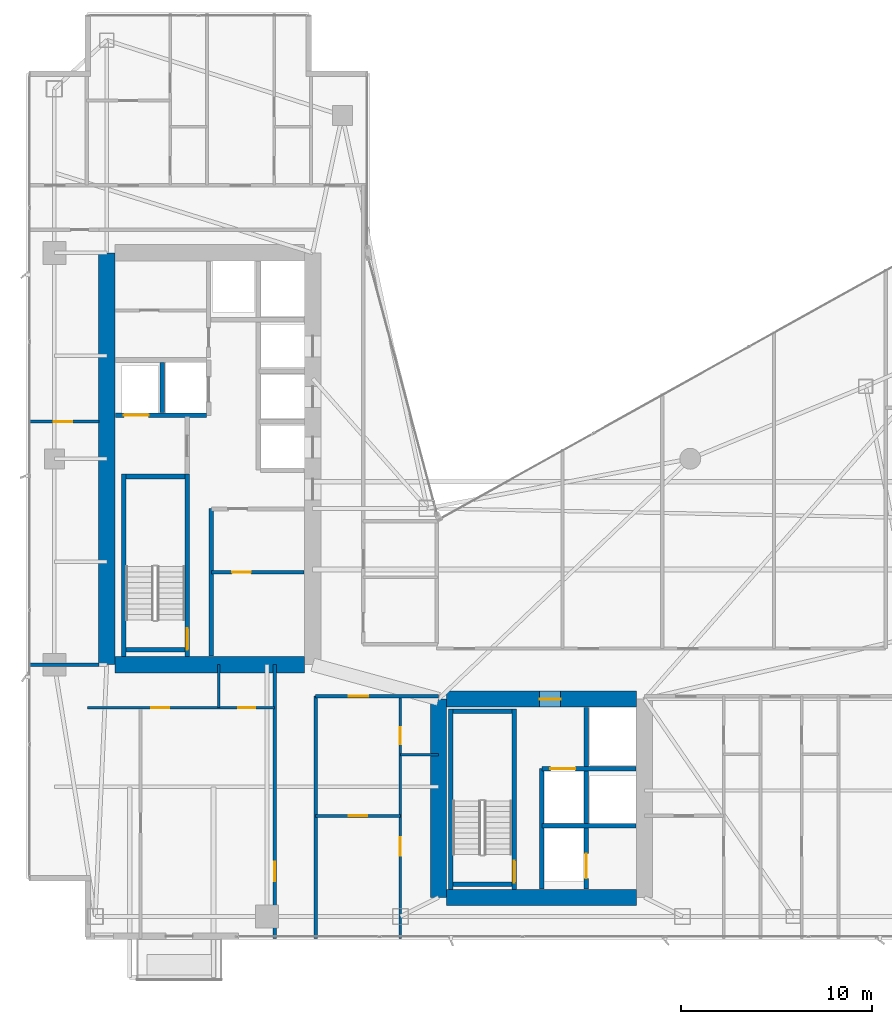
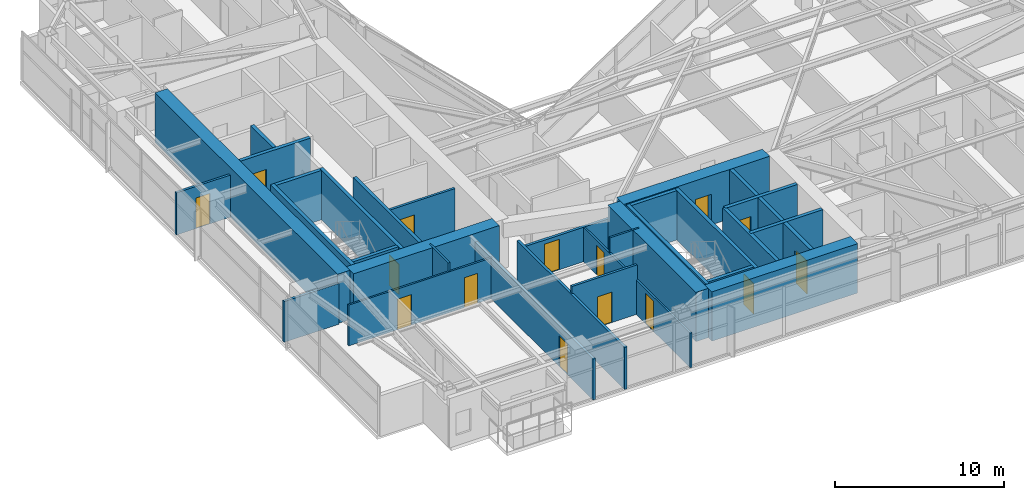
# One storey, part 22 of 28: 31 walls, 15 doors, 15 openings.
"""IFC4 building model written with IfcOpenShell, lengths in metres."""

from ifc_helpers import new_model, si_unit, direction, frame, frame_2d, origin, place, context, subcontext, project, spatial, rectangle, extrude, material, layer, layer_set, type_object, element, fill, save


model = new_model("IFC4")

# Units and contexts
model_context = context("Model", 3, precision=1e-05, world=origin(), true_north=direction((0.0, 1.0)))
body_context = subcontext(model_context, "Body", "Model", "MODEL_VIEW")
ifc_project = project(units=[si_unit("LENGTHUNIT", "METRE"), si_unit("AREAUNIT", "SQUARE_METRE"), si_unit("VOLUMEUNIT", "CUBIC_METRE"), si_unit("PLANEANGLEUNIT", "RADIAN"), si_unit("MASSUNIT", "GRAM", prefix="KILO")], contexts=[model_context])

# Site, building, storey
site_placement = place(None, origin())
site = spatial("IfcSite", under=ifc_project, at=site_placement, CompositionType="ELEMENT")
building_placement = place(site_placement, origin())
building = spatial("IfcBuilding", under=site, at=building_placement, Name="Calvorn Quay Hotel", CompositionType="ELEMENT")
storey_placement = place(building_placement, frame((0.0, 0.0, 178.89990234375)))
storey = spatial("IfcBuildingStorey", under=building, at=storey_placement, Name="L44", CompositionType="ELEMENT", Elevation=178.89990234375)

# Walls
ifc_material_1 = material(Name="Concrete C50", Category="concrete")
ifc_layer_1 = layer(ifc_material_1, 0.85009765625)
ifc_layer_set_1 = layer_set([ifc_layer_1], Name="WL-CORE-850")
wall_type_1 = type_object("IfcWallType", Name="WL-CORE-850", PredefinedType="SHEAR", material=ifc_layer_set_1)
wall_1_placement = place(storey_placement, frame((4.199951171875, 16.800048828125, 0.0), z_axis=(0.0, 0.0, 1.0), x_axis=(0.0, 1.0, 0.0)))
element("IfcWall", 1, at=wall_1_placement, inside=storey, type_object=wall_type_1, Name="West Core Shear Wall W (L44)", PredefinedType="SHEAR", context=body_context, shape_type="SweptSolid", body=[
    extrude(rectangle(XDim=21.599853515625, YDim=0.85009765625, at=frame_2d((10.7998046875, 0.0))), origin(), (0.0, 0.0, 1.0), 3.56005859375),
])
wall_2_placement = place(storey_placement, frame((4.625, 16.800048828125, 0.0), z_axis=(0.0, 0.0, 1.0), x_axis=(1.0, 0.0, 0.0)))
element("IfcWall", 2, at=wall_2_placement, inside=storey, type_object=wall_type_1, Name="West Core Shear Wall S (L44)", PredefinedType="SHEAR", context=body_context, shape_type="SweptSolid", body=[
    extrude(rectangle(XDim=9.949951171875, YDim=0.85009765625, at=frame_2d((4.97509765625, 0.0))), origin(), (0.0, 0.0, 1.0), 3.56005859375),
])
wall_3_placement = place(storey_placement, frame((21.60009765625, 4.60009765625, 0.0), z_axis=(0.0, 0.0, 1.0), x_axis=(0.0, 1.0, 0.0)))
element("IfcWall", 3, at=wall_3_placement, inside=storey, type_object=wall_type_1, Name="East Core Shear Wall W (L44)", PredefinedType="SHEAR", context=body_context, shape_type="SweptSolid", body=[
    extrude(rectangle(XDim=10.39990234375, YDim=0.85009765625, at=frame_2d((5.199951171875, 0.0))), origin(), (0.0, 0.0, 1.0), 3.56005859375),
])

# Wall, opening, door
wall_4_placement = place(storey_placement, frame((22.02490234375, 15.0, 0.0), z_axis=(0.0, 0.0, 1.0), x_axis=(1.0, 0.0, 0.0)))
wall_4 = element("IfcWall", 4, at=wall_4_placement, inside=storey, type_object=wall_type_1, Name="East Core Shear Wall N (L44)", PredefinedType="SHEAR", context=body_context, shape_type="SweptSolid", body=[
    extrude(rectangle(XDim=9.9501953125, YDim=0.85009765625, at=frame_2d((4.97509765625, 0.0))), origin(), (0.0, 0.0, 1.0), 3.56005859375),
])
opening_1_placement = place(wall_4_placement, frame((4.8798828125, 0.0, 0.0)))
opening_1 = element("IfcOpeningElement", 5, at=opening_1_placement, cuts=wall_4, Name="Opening D-L44-FLE", PredefinedType="OPENING", context=body_context, shape_type="SweptSolid", body=[
    extrude(rectangle(XDim=1.10009765625, YDim=2.199951171875, at=frame_2d((0.550048828125, 1.10009765625))), frame((0.0, 0.43505859375, 0.0), z_axis=(0.0, -1.0, 0.0), x_axis=(1.0, 0.0, 0.0)), (0.0, 0.0, 1.0), 0.8701171875),
])
ifc_material_2 = material(Name="Smoke-Sealed Steel Class A Fire Door", Category="steel")
door_type_1 = type_object("IfcDoorType", Name="DR-FFLOBBY-1100", OperationType="NOTDEFINED", PredefinedType="DOOR", material=ifc_material_2)
door_1_placement = place(opening_1_placement, origin())
door_1 = element("IfcDoor", 6, at=door_1_placement, inside=storey, type_object=door_type_1, Name="East Firefighting Lobby Fire Door (L44)", OperationType="SINGLE_SWING_RIGHT", OverallHeight=2.199951171875, OverallWidth=1.10009765625, PredefinedType="DOOR", context=body_context, shape_type="SweptSolid", body=[
    extrude(rectangle(XDim=1.10009765625, YDim=2.199951171875, at=frame_2d((0.550048828125, 1.10009765625))), frame((0.0, 0.02490234375, 0.0), z_axis=(0.0, -1.0, 0.0), x_axis=(1.0, 0.0, 0.0)), (0.0, 0.0, 1.0), 0.050048828125),
])
fill(opening_1, door_1)

# Walls
wall_5_placement = place(storey_placement, frame((22.02490234375, 4.60009765625, 0.0), z_axis=(0.0, 0.0, 1.0), x_axis=(1.0, 0.0, 0.0)))
element("IfcWall", 7, at=wall_5_placement, inside=storey, type_object=wall_type_1, Name="East Core Shear Wall S (L44)", PredefinedType="SHEAR", context=body_context, shape_type="SweptSolid", body=[
    extrude(rectangle(XDim=9.9501953125, YDim=0.85009765625, at=frame_2d((4.97509765625, 0.0))), origin(), (0.0, 0.0, 1.0), 3.56005859375),
])
ifc_material_3 = material(Name="Acoustic Fireboard Steel-Stud Partition", Category="steel")
ifc_layer_2 = layer(ifc_material_3, 0.179931640625)
ifc_layer_set_2 = layer_set([ifc_layer_2], Name="WL-CORR-FIRE-180")
wall_type_2 = type_object("IfcWallType", Name="WL-CORR-FIRE-180", PredefinedType="PARTITIONING", material=ifc_layer_set_2)
wall_6_placement = place(storey_placement, frame((0.080078125, 16.800048828125, 0.0), z_axis=(0.0, 0.0, 1.0), x_axis=(1.0, 0.0, 0.0)))
element("IfcWall", 8, at=wall_6_placement, inside=storey, type_object=wall_type_2, Name="Partition Wall L44-WL-WBAY-S-WALL", PredefinedType="PARTITIONING", context=body_context, shape_type="SweptSolid", body=[
    extrude(rectangle(XDim=3.724853515625, YDim=0.179931640625, at=frame_2d((1.8623046875, 0.0))), origin(), (0.0, 0.0, 1.0), 2.940185546875),
])

# Wall, opening, door
wall_7_placement = place(storey_placement, frame((13.0, 2.43994140625, 0.0), z_axis=(0.0, 0.0, 1.0), x_axis=(0.0, 1.0, 0.0)))
wall_7 = element("IfcWall", 9, at=wall_7_placement, inside=storey, type_object=wall_type_2, Name="Partition Wall L44-WL-CORR-SW-LEG-W", PredefinedType="PARTITIONING", context=body_context, shape_type="SweptSolid", body=[
    extrude(rectangle(XDim=14.360107421875, YDim=0.179931640625, at=frame_2d((7.18017578125, 0.0))), origin(), (0.0, 0.0, 1.0), 2.940185546875),
])
opening_2_placement = place(wall_7_placement, frame((3.010009765625, 0.0, 0.0)))
opening_2 = element("IfcOpeningElement", 10, at=opening_2_placement, cuts=wall_7, Name="Opening D-L44-U01", PredefinedType="OPENING", context=body_context, shape_type="SweptSolid", body=[
    extrude(rectangle(XDim=1.02001953125, YDim=2.199951171875, at=frame_2d((0.510009765625, 1.10009765625))), frame((0.0, 0.099853515625, 0.0), z_axis=(0.0, -1.0, 0.0), x_axis=(1.0, 0.0, 0.0)), (0.0, 0.0, 1.0), 0.199951171875),
])
ifc_material_4 = material(Name="Solid-Core Walnut Veneer Hotel Fire Door")
door_type_2 = type_object("IfcDoorType", Name="DR-GUEST-ENTRY-1020", OperationType="NOTDEFINED", PredefinedType="DOOR", material=ifc_material_4)
door_2_placement = place(opening_2_placement, origin())
door_2 = element("IfcDoor", 11, at=door_2_placement, inside=storey, type_object=door_type_2, Name="South-West Unit Door U01 (L44)", OperationType="SINGLE_SWING_LEFT", OverallHeight=2.199951171875, OverallWidth=1.02001953125, PredefinedType="DOOR", context=body_context, shape_type="SweptSolid", body=[
    extrude(rectangle(XDim=1.02001953125, YDim=2.199951171875, at=frame_2d((0.510009765625, 1.10009765625))), frame((0.0, 0.02490234375, 0.0), z_axis=(0.0, -1.0, 0.0), x_axis=(1.0, 0.0, 0.0)), (0.0, 0.0, 1.0), 0.050048828125),
])
fill(opening_2, door_2)

# Wall
wall_8_placement = place(storey_placement, frame((15.14990234375, 2.43994140625, 0.0), z_axis=(0.0, 0.0, 1.0), x_axis=(0.0, 1.0, 0.0)))
element("IfcWall", 12, at=wall_8_placement, inside=storey, type_object=wall_type_2, Name="Partition Wall L44-WL-CORR-SW-W", PredefinedType="PARTITIONING", context=body_context, shape_type="SweptSolid", body=[
    extrude(rectangle(XDim=12.7099609375, YDim=0.179931640625, at=frame_2d((6.35498046875, 0.0))), origin(), (0.0, 0.0, 1.0), 3.0400390625),
])

# Wall, opening, door
wall_9_placement = place(storey_placement, frame((15.14990234375, 15.14990234375, 0.0), z_axis=(0.0, 0.0, 1.0), x_axis=(1.0, 0.0, 0.0)))
wall_9 = element("IfcWall", 13, at=wall_9_placement, inside=storey, type_object=wall_type_2, Name="Partition Wall L44-WL-SC-CORR-S", PredefinedType="PARTITIONING", context=body_context, shape_type="SweptSolid", body=[
    extrude(rectangle(XDim=6.4501953125, YDim=0.179931640625, at=frame_2d((3.22509765625, 0.0))), origin(), (0.0, 0.0, 1.0), 2.489990234375),
])
opening_3_placement = place(wall_9_placement, frame((1.739990234375, 0.0, 0.0)))
opening_3 = element("IfcOpeningElement", 14, at=opening_3_placement, cuts=wall_9, Name="Opening D-L44-U02", PredefinedType="OPENING", context=body_context, shape_type="SweptSolid", body=[
    extrude(rectangle(XDim=1.02001953125, YDim=2.199951171875, at=frame_2d((0.510009765625, 1.10009765625))), frame((0.0, 0.099853515625, 0.0), z_axis=(0.0, -1.0, 0.0), x_axis=(1.0, 0.0, 0.0)), (0.0, 0.0, 1.0), 0.199951171875),
])
door_3_placement = place(opening_3_placement, origin())
door_3 = element("IfcDoor", 15, at=door_3_placement, inside=storey, type_object=door_type_2, Name="Harbour Central Unit Door (L44)", OperationType="SINGLE_SWING_LEFT", OverallHeight=2.199951171875, OverallWidth=1.02001953125, PredefinedType="DOOR", context=body_context, shape_type="SweptSolid", body=[
    extrude(rectangle(XDim=1.02001953125, YDim=2.199951171875, at=frame_2d((0.510009765625, 1.10009765625))), frame((0.0, 0.02490234375, 0.0), z_axis=(0.0, -1.0, 0.0), x_axis=(1.0, 0.0, 0.0)), (0.0, 0.0, 1.0), 0.050048828125),
])
fill(opening_3, door_3)

# Wall
ifc_material_5 = material(Name="Moisture-Resistant Tile-Backed Partition")
ifc_layer_3 = layer(ifc_material_5, 0.125)
ifc_layer_set_3 = layer_set([ifc_layer_3], Name="WL-ENSUITE-125")
wall_type_3 = type_object("IfcWallType", Name="WL-ENSUITE-125", PredefinedType="PARTITIONING", material=ifc_layer_set_3)
wall_10_placement = place(storey_placement, frame((10.080078125, 14.550048828125, 0.0), z_axis=(0.0, 0.0, 1.0), x_axis=(0.0, 1.0, 0.0)))
element("IfcWall", 16, at=wall_10_placement, inside=storey, type_object=wall_type_3, Name="Partition Wall L44-WL-U01-BDV", PredefinedType="PARTITIONING", context=body_context, shape_type="SweptSolid", body=[
    extrude(rectangle(XDim=2.25, YDim=0.125, at=frame_2d((1.125, 0.0))), origin(), (0.0, 0.0, 1.0), 3.56005859375),
])

# Wall, openings, doors
wall_11_placement = place(storey_placement, frame((3.199951171875, 14.550048828125, 0.0), z_axis=(0.0, 0.0, 1.0), x_axis=(1.0, 0.0, 0.0)))
wall_11 = element("IfcWall", 17, at=wall_11_placement, inside=storey, type_object=wall_type_3, Name="Partition Wall L44-WL-U01-BH", PredefinedType="PARTITIONING", context=body_context, shape_type="SweptSolid", body=[
    extrude(rectangle(XDim=9.800048828125, YDim=0.125, at=frame_2d((4.89990234375, 0.0))), origin(), (0.0, 0.0, 1.0), 2.940185546875),
])
opening_4_placement = place(wall_11_placement, frame((3.320068359375, 0.0, 0.0)))
opening_4 = element("IfcOpeningElement", 18, at=opening_4_placement, cuts=wall_11, Name="Opening D-L44-S01", PredefinedType="OPENING", context=body_context, shape_type="SweptSolid", body=[
    extrude(rectangle(XDim=0.9599609375, YDim=2.199951171875, at=frame_2d((0.47998046875, 1.10009765625))), frame((0.0, 0.072509765625, 0.0), z_axis=(0.0, -1.0, 0.0), x_axis=(1.0, 0.0, 0.0)), (0.0, 0.0, 1.0), 0.14501953125),
])
opening_5_placement = place(wall_11_placement, frame((7.889892578125, 0.0, 0.0)))
opening_5 = element("IfcOpeningElement", 19, at=opening_5_placement, cuts=wall_11, Name="Opening D-L44-E01", PredefinedType="OPENING", context=body_context, shape_type="SweptSolid", body=[
    extrude(rectangle(XDim=0.89990234375, YDim=2.14990234375, at=frame_2d((0.449951171875, 1.074951171875))), frame((0.0, 0.072509765625, 0.0), z_axis=(0.0, -1.0, 0.0), x_axis=(1.0, 0.0, 0.0)), (0.0, 0.0, 1.0), 0.14501953125),
])
ifc_material_6 = material(Name="Moisture-Sealed Timber En-Suite Door", Category="wood")
door_type_3 = type_object("IfcDoorType", Name="DR-ENSUITE-900", OperationType="NOTDEFINED", PredefinedType="DOOR", material=ifc_material_6)
door_4_placement = place(opening_5_placement, origin())
door_4 = element("IfcDoor", 20, at=door_4_placement, inside=storey, type_object=door_type_3, Name="En-Suite Door 01", OperationType="SINGLE_SWING_RIGHT", OverallHeight=2.14990234375, OverallWidth=0.89990234375, PredefinedType="DOOR", context=body_context, shape_type="SweptSolid", body=[
    extrude(rectangle(XDim=0.89990234375, YDim=2.14990234375, at=frame_2d((0.449951171875, 1.074951171875))), frame((0.0, 0.02490234375, 0.0), z_axis=(0.0, -1.0, 0.0), x_axis=(1.0, 0.0, 0.0)), (0.0, 0.0, 1.0), 0.050048828125),
])
fill(opening_5, door_4)
ifc_material_7 = material(Name="Solid Timber Internal Suite Door", Category="wood")
door_type_4 = type_object("IfcDoorType", Name="DR-SUITE-INT-960", OperationType="NOTDEFINED", PredefinedType="DOOR", material=ifc_material_7)
door_5_placement = place(opening_4_placement, origin())
door_5 = element("IfcDoor", 21, at=door_5_placement, inside=storey, type_object=door_type_4, Name="Curated Resort Boutique Door 01", OperationType="SINGLE_SWING_LEFT", OverallHeight=2.199951171875, OverallWidth=0.9599609375, PredefinedType="DOOR", context=body_context, shape_type="SweptSolid", body=[
    extrude(rectangle(XDim=0.9599609375, YDim=2.199951171875, at=frame_2d((0.47998046875, 1.10009765625))), frame((0.0, 0.02490234375, 0.0), z_axis=(0.0, -1.0, 0.0), x_axis=(1.0, 0.0, 0.0)), (0.0, 0.0, 1.0), 0.050048828125),
])
fill(opening_4, door_5)

# Wall
wall_12_placement = place(storey_placement, frame((19.60009765625, 12.070068359375, 0.0), z_axis=(0.0, 0.0, 1.0), x_axis=(1.0, 0.0, 0.0)))
element("IfcWall", 22, at=wall_12_placement, inside=storey, type_object=wall_type_3, Name="Partition Wall L44-WL-U02-BDV", PredefinedType="PARTITIONING", context=body_context, shape_type="SweptSolid", body=[
    extrude(rectangle(XDim=2.0, YDim=0.125, at=frame_2d((1.0, 0.0))), origin(), (0.0, 0.0, 1.0), 3.56005859375),
])

# Wall, openings, doors
wall_13_placement = place(storey_placement, frame((19.60009765625, 2.43994140625, 0.0), z_axis=(0.0, 0.0, 1.0), x_axis=(0.0, 1.0, 0.0)))
wall_13 = element("IfcWall", 23, at=wall_13_placement, inside=storey, type_object=wall_type_3, Name="Partition Wall L44-WL-U02-BV", PredefinedType="PARTITIONING", context=body_context, shape_type="SweptSolid", body=[
    extrude(rectangle(XDim=12.7099609375, YDim=0.125, at=frame_2d((6.35498046875, 0.0))), origin(), (0.0, 0.0, 1.0), 2.489990234375),
])
opening_6_placement = place(wall_13_placement, frame((4.340087890625, 0.0, 0.0)))
opening_6 = element("IfcOpeningElement", 24, at=opening_6_placement, cuts=wall_13, Name="Opening D-L44-S02", PredefinedType="OPENING", context=body_context, shape_type="SweptSolid", body=[
    extrude(rectangle(XDim=0.9599609375, YDim=2.199951171875, at=frame_2d((0.47998046875, 1.10009765625))), frame((0.0, 0.072509765625, 0.0), z_axis=(0.0, -1.0, 0.0), x_axis=(1.0, 0.0, 0.0)), (0.0, 0.0, 1.0), 0.14501953125),
])
opening_7_placement = place(wall_13_placement, frame((10.179931640625, 0.0, 0.0)))
opening_7 = element("IfcOpeningElement", 25, at=opening_7_placement, cuts=wall_13, Name="Opening D-L44-E02", PredefinedType="OPENING", context=body_context, shape_type="SweptSolid", body=[
    extrude(rectangle(XDim=0.89990234375, YDim=2.14990234375, at=frame_2d((0.449951171875, 1.074951171875))), frame((0.0, 0.072509765625, 0.0), z_axis=(0.0, -1.0, 0.0), x_axis=(1.0, 0.0, 0.0)), (0.0, 0.0, 1.0), 0.14501953125),
])
door_6_placement = place(opening_7_placement, origin())
door_6 = element("IfcDoor", 26, at=door_6_placement, inside=storey, type_object=door_type_3, Name="En-Suite Door 02", OperationType="SINGLE_SWING_RIGHT", OverallHeight=2.14990234375, OverallWidth=0.89990234375, PredefinedType="DOOR", context=body_context, shape_type="SweptSolid", body=[
    extrude(rectangle(XDim=0.89990234375, YDim=2.14990234375, at=frame_2d((0.449951171875, 1.074951171875))), frame((0.0, 0.02490234375, 0.0), z_axis=(0.0, -1.0, 0.0), x_axis=(1.0, 0.0, 0.0)), (0.0, 0.0, 1.0), 0.050048828125),
])
fill(opening_7, door_6)
door_7_placement = place(opening_6_placement, origin())
door_7 = element("IfcDoor", 27, at=door_7_placement, inside=storey, type_object=door_type_4, Name="Curated Resort Boutique Door 02", OperationType="SINGLE_SWING_LEFT", OverallHeight=2.199951171875, OverallWidth=0.9599609375, PredefinedType="DOOR", context=body_context, shape_type="SweptSolid", body=[
    extrude(rectangle(XDim=0.9599609375, YDim=2.199951171875, at=frame_2d((0.47998046875, 1.10009765625))), frame((0.0, 0.02490234375, 0.0), z_axis=(0.0, -1.0, 0.0), x_axis=(1.0, 0.0, 0.0)), (0.0, 0.0, 1.0), 0.050048828125),
])
fill(opening_6, door_7)

# Wall, opening, door
ifc_material_8 = material(Name="Double-Stud Acoustic Gypsum Partition")
ifc_layer_4 = layer(ifc_material_8, 0.159912109375)
ifc_layer_set_4 = layer_set([ifc_layer_4], Name="WL-INTERSUITE-160")
wall_type_4 = type_object("IfcWallType", Name="WL-INTERSUITE-160", PredefinedType="PARTITIONING", material=ifc_layer_set_4)
wall_14_placement = place(storey_placement, frame((9.679931640625, 21.64990234375, 0.0), z_axis=(0.0, 0.0, 1.0), x_axis=(1.0, 0.0, 0.0)))
wall_14 = element("IfcWall", 28, at=wall_14_placement, inside=storey, type_object=wall_type_4, Name="Partition Wall L44-WL-CWW-FR-SPLIT", PredefinedType="PARTITIONING", context=body_context, shape_type="SweptSolid", body=[
    extrude(rectangle(XDim=4.875, YDim=0.159912109375, at=frame_2d((2.4375, 0.0))), origin(), (0.0, 0.0, 1.0), 3.090087890625),
])
opening_8_placement = place(wall_14_placement, frame((1.10009765625, 0.0, 0.0)))
opening_8 = element("IfcOpeningElement", 29, at=opening_8_placement, cuts=wall_14, Name="Opening D-L44-FRL1", PredefinedType="OPENING", context=body_context, shape_type="SweptSolid", body=[
    extrude(rectangle(XDim=0.97998046875, YDim=2.14990234375, at=frame_2d((0.489990234375, 1.074951171875))), frame((0.0, 0.08984375, 0.0), z_axis=(0.0, -1.0, 0.0), x_axis=(1.0, 0.0, 0.0)), (0.0, 0.0, 1.0), 0.179931640625),
])
ifc_material_9 = material(Name="Painted Steel Housekeeping/Riser Fire Door", Category="steel")
door_type_5 = type_object("IfcDoorType", Name="DR-SERVICE-980", OperationType="NOTDEFINED", PredefinedType="DOOR", material=ifc_material_9)
door_8_placement = place(opening_8_placement, origin())
door_8 = element("IfcDoor", 30, at=door_8_placement, inside=storey, type_object=door_type_5, Name="Linen Store Room Door (L44)", OperationType="SINGLE_SWING_LEFT", OverallHeight=2.14990234375, OverallWidth=0.97998046875, PredefinedType="DOOR", context=body_context, shape_type="SweptSolid", body=[
    extrude(rectangle(XDim=0.97998046875, YDim=2.14990234375, at=frame_2d((0.489990234375, 1.074951171875))), frame((0.0, 0.02490234375, 0.0), z_axis=(0.0, -1.0, 0.0), x_axis=(1.0, 0.0, 0.0)), (0.0, 0.0, 1.0), 0.050048828125),
])
fill(opening_8, door_8)

wall_15_placement = place(storey_placement, frame((0.080078125, 29.550048828125, 0.0), z_axis=(0.0, 0.0, 1.0), x_axis=(1.0, 0.0, 0.0)))
wall_15 = element("IfcWall", 31, at=wall_15_placement, inside=storey, type_object=wall_type_4, Name="Partition Wall L44-WL-WBAY-DIV", PredefinedType="PARTITIONING", context=body_context, shape_type="SweptSolid", body=[
    extrude(rectangle(XDim=3.724853515625, YDim=0.159912109375, at=frame_2d((1.8623046875, 0.0))), origin(), (0.0, 0.0, 1.0), 3.0400390625),
])
opening_9_placement = place(wall_15_placement, frame((1.35009765625, 0.0, 0.0)))
opening_9 = element("IfcOpeningElement", 32, at=opening_9_placement, cuts=wall_15, Name="Opening D-L44-WBD", PredefinedType="OPENING", context=body_context, shape_type="SweptSolid", body=[
    extrude(rectangle(XDim=0.9599609375, YDim=2.199951171875, at=frame_2d((0.47998046875, 1.10009765625))), frame((0.0, 0.08984375, 0.0), z_axis=(0.0, -1.0, 0.0), x_axis=(1.0, 0.0, 0.0)), (0.0, 0.0, 1.0), 0.179931640625),
])
door_9_placement = place(opening_9_placement, origin())
door_9 = element("IfcDoor", 33, at=door_9_placement, inside=storey, type_object=door_type_4, Name="West Bay Connecting Door (L44)", OperationType="SINGLE_SWING_LEFT", OverallHeight=2.199951171875, OverallWidth=0.9599609375, PredefinedType="DOOR", context=body_context, shape_type="SweptSolid", body=[
    extrude(rectangle(XDim=0.9599609375, YDim=2.199951171875, at=frame_2d((0.47998046875, 1.10009765625))), frame((0.0, 0.02490234375, 0.0), z_axis=(0.0, -1.0, 0.0), x_axis=(1.0, 0.0, 0.0)), (0.0, 0.0, 1.0), 0.050048828125),
])
fill(opening_9, door_9)

wall_16_placement = place(storey_placement, frame((15.14990234375, 8.8701171875, 0.0), z_axis=(0.0, 0.0, 1.0), x_axis=(1.0, 0.0, 0.0)))
wall_16 = element("IfcWall", 34, at=wall_16_placement, inside=storey, type_object=wall_type_4, Name="Partition Wall L44-WL-U02-MSP", PredefinedType="PARTITIONING", context=body_context, shape_type="SweptSolid", body=[
    extrude(rectangle(XDim=4.4501953125, YDim=0.159912109375, at=frame_2d((2.22509765625, 0.0))), origin(), (0.0, 0.0, 1.0), 3.56005859375),
])
opening_10_placement = place(wall_16_placement, frame((1.75, 0.0, 0.0)))
opening_10 = element("IfcOpeningElement", 35, at=opening_10_placement, cuts=wall_16, Name="Opening D-L44-M02", PredefinedType="OPENING", context=body_context, shape_type="SweptSolid", body=[
    extrude(rectangle(XDim=0.9599609375, YDim=2.199951171875, at=frame_2d((0.47998046875, 1.10009765625))), frame((0.0, 0.08984375, 0.0), z_axis=(0.0, -1.0, 0.0), x_axis=(1.0, 0.0, 0.0)), (0.0, 0.0, 1.0), 0.179931640625),
])
door_10_placement = place(opening_10_placement, origin())
door_10 = element("IfcDoor", 36, at=door_10_placement, inside=storey, type_object=door_type_4, Name="Suite Bedroom Door 02", OperationType="SINGLE_SWING_LEFT", OverallHeight=2.199951171875, OverallWidth=0.9599609375, PredefinedType="DOOR", context=body_context, shape_type="SweptSolid", body=[
    extrude(rectangle(XDim=0.9599609375, YDim=2.199951171875, at=frame_2d((0.47998046875, 1.10009765625))), frame((0.0, 0.02490234375, 0.0), z_axis=(0.0, -1.0, 0.0), x_axis=(1.0, 0.0, 0.0)), (0.0, 0.0, 1.0), 0.050048828125),
])
fill(opening_10, door_10)

# Walls
ifc_material_10 = material(Name="Autoclaved Aerated Masonry Block", Category="masonry")
ifc_layer_5 = layer(ifc_material_10, 0.219970703125)
ifc_layer_set_5 = layer_set([ifc_layer_5], Name="WL-LOBBY-FIRE-220")
wall_type_5 = type_object("IfcWallType", Name="WL-LOBBY-FIRE-220", PredefinedType="SOLIDWALL", material=ifc_layer_set_5)
wall_17_placement = place(storey_placement, frame((9.679931640625, 17.2451171875, 0.0), z_axis=(0.0, 0.0, 1.0), x_axis=(0.0, 1.0, 0.0)))
element("IfcWall", 37, at=wall_17_placement, inside=storey, type_object=wall_type_5, Name="Partition Wall L44-WL-CWW-STW-HALL-E", PredefinedType="SOLIDWALL", context=body_context, shape_type="SweptSolid", body=[
    extrude(rectangle(XDim=7.7548828125, YDim=0.219970703125, at=frame_2d((3.87744140625, 0.0))), origin(), (0.0, 0.0, 1.0), 3.56005859375),
])
ifc_material_11 = material(Name="Concrete C40", Category="concrete")
ifc_layer_6 = layer(ifc_material_11, 0.239990234375)
ifc_layer_set_6 = layer_set([ifc_layer_6], Name="WL-SHAFT-240")
wall_type_6 = type_object("IfcWallType", Name="WL-SHAFT-240", PredefinedType="SOLIDWALL", material=ifc_layer_set_6)
wall_18_placement = place(storey_placement, frame((5.080078125, 17.22509765625, 0.0), z_axis=(0.0, 0.0, 1.0), x_axis=(0.0, 1.0, 0.0)))
element("IfcWall", 38, at=wall_18_placement, inside=storey, type_object=wall_type_6, Name="Stair STW Shaft Wall W (L44)", PredefinedType="SOLIDWALL", context=body_context, shape_type="SweptSolid", body=[
    extrude(rectangle(XDim=9.56494140625, YDim=0.239990234375, at=frame_2d((4.782470703125, 0.0))), origin(), (0.0, 0.0, 1.0), 3.56005859375),
])

# Wall, opening, door
wall_19_placement = place(storey_placement, frame((8.419921875, 17.22509765625, 0.0), z_axis=(0.0, 0.0, 1.0), x_axis=(0.0, 1.0, 0.0)))
wall_19 = element("IfcWall", 39, at=wall_19_placement, inside=storey, type_object=wall_type_6, Name="Stair STW Shaft Wall E (L44)", PredefinedType="SOLIDWALL", context=body_context, shape_type="SweptSolid", body=[
    extrude(rectangle(XDim=9.56494140625, YDim=0.239990234375, at=frame_2d((4.782470703125, 0.0))), origin(), (0.0, 0.0, 1.0), 3.56005859375),
])
opening_11_placement = place(wall_19_placement, frame((0.35009765625, 0.0, 0.0)))
opening_11 = element("IfcOpeningElement", 40, at=opening_11_placement, cuts=wall_19, Name="Opening D-L44-STW", PredefinedType="OPENING", context=body_context, shape_type="SweptSolid", body=[
    extrude(rectangle(XDim=1.14990234375, YDim=2.199951171875, at=frame_2d((0.574951171875, 1.10009765625))), frame((0.0, 0.1298828125, 0.0), z_axis=(0.0, -1.0, 0.0), x_axis=(1.0, 0.0, 0.0)), (0.0, 0.0, 1.0), 0.260009765625),
])
ifc_material_12 = material(Name="Galvanised Steel Class A Fire Door", Category="steel")
door_type_6 = type_object("IfcDoorType", Name="DR-STAIR-SMOKE-1150", OperationType="NOTDEFINED", PredefinedType="DOOR", material=ifc_material_12)
door_11_placement = place(opening_11_placement, origin())
door_11 = element("IfcDoor", 41, at=door_11_placement, inside=storey, type_object=door_type_6, Name="Stair ST-W Fire Door (L44)", OperationType="SINGLE_SWING_LEFT", OverallHeight=2.199951171875, OverallWidth=1.14990234375, PredefinedType="DOOR", context=body_context, shape_type="SweptSolid", body=[
    extrude(rectangle(XDim=1.14990234375, YDim=2.199951171875, at=frame_2d((0.574951171875, 1.10009765625))), frame((0.0, 0.02490234375, 0.0), z_axis=(0.0, -1.0, 0.0), x_axis=(1.0, 0.0, 0.0)), (0.0, 0.0, 1.0), 0.050048828125),
])
fill(opening_11, door_11)

# Walls
for number, where, z_axis, x_axis, name in (
    (42, (5.199951171875, 17.580078125, 0.0), (0.0, 0.0, 1.0), (1.0, 0.0, 0.0), "Stair STW Shaft Wall S (L44)"),
    (43, (5.199951171875, 26.669921875, 0.0), (0.0, 0.0, 1.0), (1.0, 0.0, 0.0), "Stair STW Shaft Wall N (L44)"),
):
    element("IfcWall", number, at=place(storey_placement, frame(where, z_axis=z_axis, x_axis=x_axis)), inside=storey, type_object=wall_type_6, Name=name, PredefinedType="SOLIDWALL", context=body_context, shape_type="SweptSolid", body=[
        extrude(rectangle(XDim=3.10009765625, YDim=0.239990234375, at=frame_2d((1.550048828125, 0.0))), origin(), (0.0, 0.0, 1.0), 3.56005859375),
    ])
wall_20_placement = place(storey_placement, frame((22.22998046875, 5.02490234375, 0.0), z_axis=(0.0, 0.0, 1.0), x_axis=(0.0, 1.0, 0.0)))
element("IfcWall", 44, at=wall_20_placement, inside=storey, type_object=wall_type_6, Name="Stair STE Shaft Wall W (L44)", PredefinedType="SOLIDWALL", context=body_context, shape_type="SweptSolid", body=[
    extrude(rectangle(XDim=9.465087890625, YDim=0.239990234375, at=frame_2d((4.732421875, 0.0))), origin(), (0.0, 0.0, 1.0), 3.56005859375),
])

# Wall, opening, door
wall_21_placement = place(storey_placement, frame((25.570068359375, 5.02490234375, 0.0), z_axis=(0.0, 0.0, 1.0), x_axis=(0.0, 1.0, 0.0)))
wall_21 = element("IfcWall", 45, at=wall_21_placement, inside=storey, type_object=wall_type_6, Name="Stair STE Shaft Wall E (L44)", PredefinedType="SOLIDWALL", context=body_context, shape_type="SweptSolid", body=[
    extrude(rectangle(XDim=9.465087890625, YDim=0.239990234375, at=frame_2d((4.732421875, 0.0))), origin(), (0.0, 0.0, 1.0), 3.56005859375),
])
opening_12_placement = place(wall_21_placement, frame((0.35009765625, 0.0, 0.0)))
opening_12 = element("IfcOpeningElement", 46, at=opening_12_placement, cuts=wall_21, Name="Opening D-L44-STE", PredefinedType="OPENING", context=body_context, shape_type="SweptSolid", body=[
    extrude(rectangle(XDim=1.14990234375, YDim=2.199951171875, at=frame_2d((0.574951171875, 1.10009765625))), frame((0.0, 0.1298828125, 0.0), z_axis=(0.0, -1.0, 0.0), x_axis=(1.0, 0.0, 0.0)), (0.0, 0.0, 1.0), 0.260009765625),
])
door_12_placement = place(opening_12_placement, origin())
door_12 = element("IfcDoor", 47, at=door_12_placement, inside=storey, type_object=door_type_6, Name="Stair ST-E Fire Door (L44)", OperationType="SINGLE_SWING_RIGHT", OverallHeight=2.199951171875, OverallWidth=1.14990234375, PredefinedType="DOOR", context=body_context, shape_type="SweptSolid", body=[
    extrude(rectangle(XDim=1.14990234375, YDim=2.199951171875, at=frame_2d((0.574951171875, 1.10009765625))), frame((0.0, 0.02490234375, 0.0), z_axis=(0.0, -1.0, 0.0), x_axis=(1.0, 0.0, 0.0)), (0.0, 0.0, 1.0), 0.050048828125),
])
fill(opening_12, door_12)

# Walls
for number, where, z_axis, x_axis, name in (
    (48, (22.35009765625, 5.280029296875, 0.0), (0.0, 0.0, 1.0), (1.0, 0.0, 0.0), "Stair STE Shaft Wall S (L44)"),
    (49, (22.35009765625, 14.3701171875, 0.0), (0.0, 0.0, 1.0), (1.0, 0.0, 0.0), "Stair STE Shaft Wall N (L44)"),
):
    element("IfcWall", number, at=place(storey_placement, frame(where, z_axis=z_axis, x_axis=x_axis)), inside=storey, type_object=wall_type_6, Name=name, PredefinedType="SOLIDWALL", context=body_context, shape_type="SweptSolid", body=[
        extrude(rectangle(XDim=3.099853515625, YDim=0.239990234375, at=frame_2d((1.5498046875, 0.0))), origin(), (0.0, 0.0, 1.0), 3.56005859375),
    ])

# Wall, opening, door
wall_22_placement = place(storey_placement, frame((4.64501953125, 29.8798828125, 0.0), z_axis=(0.0, 0.0, 1.0), x_axis=(1.0, 0.0, 0.0)))
wall_22 = element("IfcWall", 50, at=wall_22_placement, inside=storey, type_object=wall_type_6, Name="Partition Wall L44-WL-CWW-FLW-S", PredefinedType="SOLIDWALL", context=body_context, shape_type="SweptSolid", body=[
    extrude(rectangle(XDim=4.77490234375, YDim=0.239990234375, at=frame_2d((2.387451171875, 0.0))), origin(), (0.0, 0.0, 1.0), 3.56005859375),
])
opening_13_placement = place(wall_22_placement, frame((0.449951171875, 0.0, 0.0)))
opening_13 = element("IfcOpeningElement", 51, at=opening_13_placement, cuts=wall_22, Name="Opening LD-L44-FLW1", PredefinedType="OPENING", context=body_context, shape_type="SweptSolid", body=[
    extrude(rectangle(XDim=1.300048828125, YDim=2.35009765625, at=frame_2d((0.64990234375, 1.175048828125))), frame((0.0, 0.1298828125, 0.0), z_axis=(0.0, -1.0, 0.0), x_axis=(1.0, 0.0, 0.0)), (0.0, 0.0, 1.0), 0.260009765625),
])
ifc_material_13 = material(Name="Champagne-Bronze Sliding Express Lift Landing Door")
door_type_7 = type_object("IfcDoorType", Name="DR-LIFT-SHUTTLE-1300", OperationType="NOTDEFINED", PredefinedType="DOOR", material=ifc_material_13)
door_13_placement = place(opening_13_placement, origin())
door_13 = element("IfcDoor", 52, at=door_13_placement, inside=storey, type_object=door_type_7, Name="Firefighting Lift FL-W1 Landing Door (L44)", OperationType="DOUBLE_DOOR_SLIDING", OverallHeight=2.35009765625, OverallWidth=1.300048828125, PredefinedType="DOOR", context=body_context, shape_type="SweptSolid", body=[
    extrude(rectangle(XDim=1.300048828125, YDim=2.35009765625, at=frame_2d((0.64990234375, 1.175048828125))), frame((0.0, 0.02490234375, 0.0), z_axis=(0.0, -1.0, 0.0), x_axis=(1.0, 0.0, 0.0)), (0.0, 0.0, 1.0), 0.050048828125),
])
fill(opening_13, door_13)

# Walls
wall_23_placement = place(storey_placement, frame((7.10009765625, 30.02001953125, 0.0), z_axis=(0.0, 0.0, 1.0), x_axis=(0.0, 1.0, 0.0)))
element("IfcWall", 53, at=wall_23_placement, inside=storey, type_object=wall_type_6, Name="Partition Wall L44-WL-CWW-FLW-DIV", PredefinedType="SOLIDWALL", context=body_context, shape_type="SweptSolid", body=[
    extrude(rectangle(XDim=2.6298828125, YDim=0.239990234375, at=frame_2d((1.31494140625, 0.0))), origin(), (0.0, 0.0, 1.0), 3.56005859375),
])
wall_24_placement = place(storey_placement, frame((27.02001953125, 5.044921875, 0.0), z_axis=(0.0, 0.0, 1.0), x_axis=(0.0, 1.0, 0.0)))
element("IfcWall", 54, at=wall_24_placement, inside=storey, type_object=wall_type_6, Name="Partition Wall L44-WL-CWE-SH-W", PredefinedType="SOLIDWALL", context=body_context, shape_type="SweptSolid", body=[
    extrude(rectangle(XDim=6.30517578125, YDim=0.239990234375, at=frame_2d((3.152587890625, 0.0))), origin(), (0.0, 0.0, 1.0), 3.56005859375),
])

# Wall, opening, door
wall_25_placement = place(storey_placement, frame((27.02001953125, 11.35009765625, 0.0), z_axis=(0.0, 0.0, 1.0), x_axis=(1.0, 0.0, 0.0)))
wall_25 = element("IfcWall", 55, at=wall_25_placement, inside=storey, type_object=wall_type_6, Name="Partition Wall L44-WL-CWE-FFL-S", PredefinedType="SOLIDWALL", context=body_context, shape_type="SweptSolid", body=[
    extrude(rectangle(XDim=4.93505859375, YDim=0.239990234375, at=frame_2d((2.467529296875, 0.0))), origin(), (0.0, 0.0, 1.0), 3.56005859375),
])
opening_14_placement = place(wall_25_placement, frame((0.449951171875, 0.0, 0.0)))
opening_14 = element("IfcOpeningElement", 56, at=opening_14_placement, cuts=wall_25, Name="Opening LD-L44-FLE1", PredefinedType="OPENING", context=body_context, shape_type="SweptSolid", body=[
    extrude(rectangle(XDim=1.300048828125, YDim=2.35009765625, at=frame_2d((0.64990234375, 1.175048828125))), frame((0.0, 0.1298828125, 0.0), z_axis=(0.0, -1.0, 0.0), x_axis=(1.0, 0.0, 0.0)), (0.0, 0.0, 1.0), 0.260009765625),
])
door_14_placement = place(opening_14_placement, origin())
door_14 = element("IfcDoor", 57, at=door_14_placement, inside=storey, type_object=door_type_7, Name="Firefighting Lift FL-E1 Landing Door (L44)", OperationType="DOUBLE_DOOR_SLIDING", OverallHeight=2.35009765625, OverallWidth=1.300048828125, PredefinedType="DOOR", context=body_context, shape_type="SweptSolid", body=[
    extrude(rectangle(XDim=1.300048828125, YDim=2.35009765625, at=frame_2d((0.64990234375, 1.175048828125))), frame((0.0, 0.02490234375, 0.0), z_axis=(0.0, -1.0, 0.0), x_axis=(1.0, 0.0, 0.0)), (0.0, 0.0, 1.0), 0.050048828125),
])
fill(opening_14, door_14)

# Wall
wall_26_placement = place(storey_placement, frame((27.02001953125, 8.35009765625, 0.0), z_axis=(0.0, 0.0, 1.0), x_axis=(1.0, 0.0, 0.0)))
element("IfcWall", 58, at=wall_26_placement, inside=storey, type_object=wall_type_6, Name="Partition Wall L44-WL-CWE-SL-N", PredefinedType="SOLIDWALL", context=body_context, shape_type="SweptSolid", body=[
    extrude(rectangle(XDim=4.93505859375, YDim=0.239990234375, at=frame_2d((2.467529296875, 0.0))), origin(), (0.0, 0.0, 1.0), 3.56005859375),
])

# Wall, opening, door
wall_27_placement = place(storey_placement, frame((29.35009765625, 5.044921875, 0.0), z_axis=(0.0, 0.0, 1.0), x_axis=(0.0, 1.0, 0.0)))
wall_27 = element("IfcWall", 59, at=wall_27_placement, inside=storey, type_object=wall_type_6, Name="Partition Wall L44-WL-CWE-OB-W", PredefinedType="SOLIDWALL", context=body_context, shape_type="SweptSolid", body=[
    extrude(rectangle(XDim=9.510009765625, YDim=0.239990234375, at=frame_2d((4.7548828125, 0.0))), origin(), (0.0, 0.0, 1.0), 3.56005859375),
])
opening_15_placement = place(wall_27_placement, frame((0.550048828125, 0.0, 0.0)))
opening_15 = element("IfcOpeningElement", 60, at=opening_15_placement, cuts=wall_27, Name="Opening LD-L44-SLEI", PredefinedType="OPENING", context=body_context, shape_type="SweptSolid", body=[
    extrude(rectangle(XDim=1.300048828125, YDim=2.35009765625, at=frame_2d((0.64990234375, 1.175048828125))), frame((0.0, 0.1298828125, 0.0), z_axis=(0.0, -1.0, 0.0), x_axis=(1.0, 0.0, 0.0)), (0.0, 0.0, 1.0), 0.260009765625),
])
door_15_placement = place(opening_15_placement, origin())
door_15 = element("IfcDoor", 61, at=door_15_placement, inside=storey, type_object=door_type_7, Name="Service Lift SL-E1 Landing Door (L44)", OperationType="DOUBLE_DOOR_SLIDING", OverallHeight=2.35009765625, OverallWidth=1.300048828125, PredefinedType="DOOR", context=body_context, shape_type="SweptSolid", body=[
    extrude(rectangle(XDim=1.300048828125, YDim=2.35009765625, at=frame_2d((0.64990234375, 1.175048828125))), frame((0.0, 0.02490234375, 0.0), z_axis=(0.0, -1.0, 0.0), x_axis=(1.0, 0.0, 0.0)), (0.0, 0.0, 1.0), 0.050048828125),
])
fill(opening_15, door_15)

save(model, "model.ifc")
